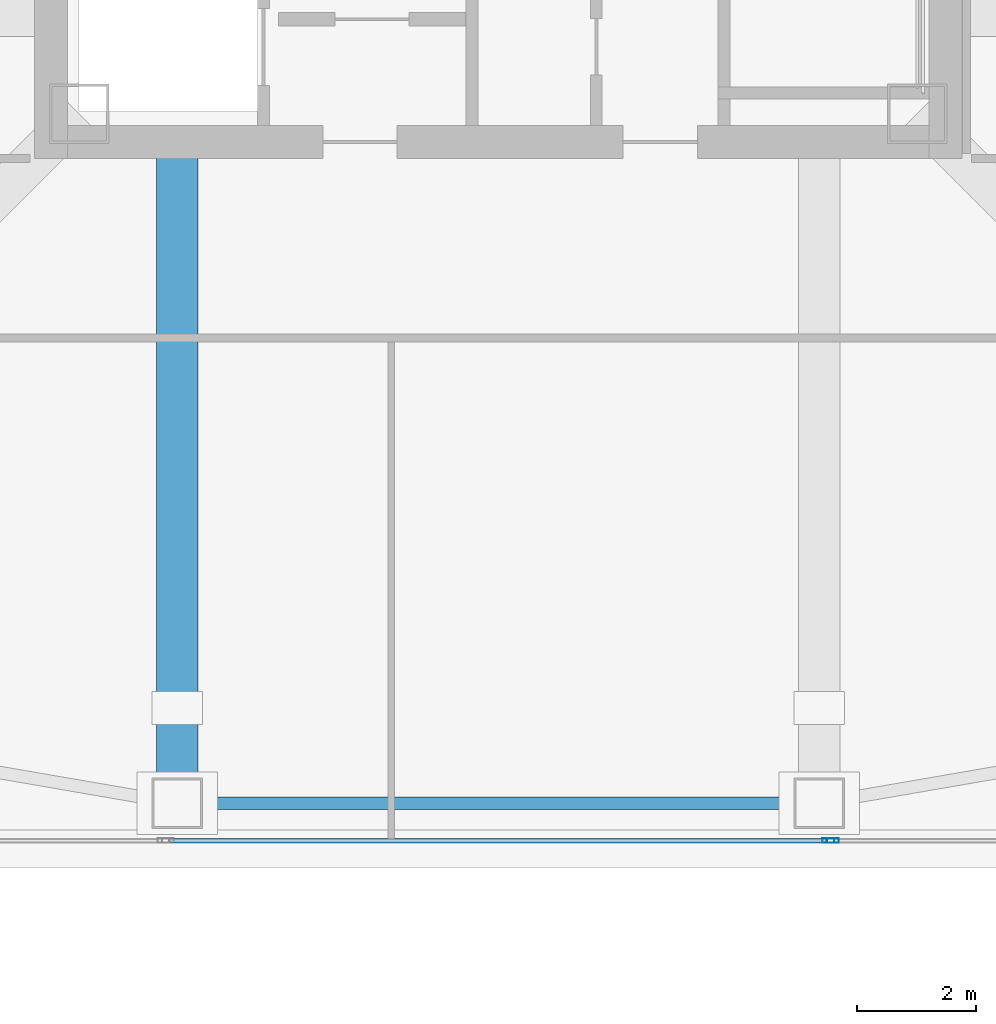
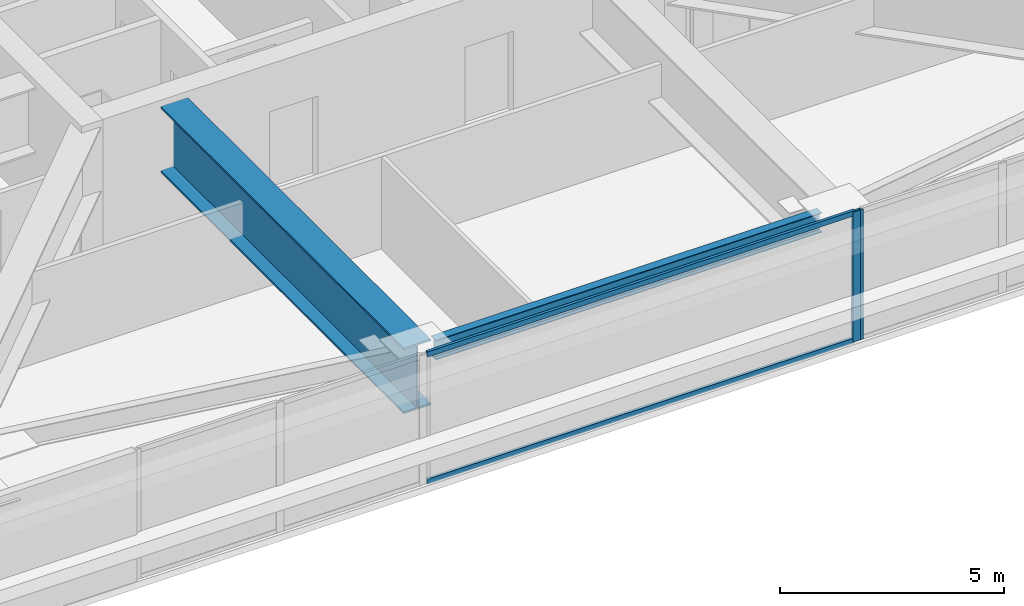
# One storey, part 5 of 42: 4 members, 2 beams, 2 elements without a shape of their own.
"""IFC4 building model written with IfcOpenShell, lengths in metres."""

from ifc_helpers import new_model, si_unit, direction, frame, origin, origin_2d, place, context, subcontext, project, spatial, hollow_rectangle, i_section, extrude, material, material_profile, profile_set, type_object, element, aggregate, save


model = new_model("IFC4")

# Units and contexts
model_context = context("Model", 3, precision=1e-05, world=origin(), true_north=direction((0.0, 1.0)))
body_context = subcontext(model_context, "Body", "Model", "MODEL_VIEW")
ifc_project = project(units=[si_unit("LENGTHUNIT", "METRE"), si_unit("AREAUNIT", "SQUARE_METRE"), si_unit("VOLUMEUNIT", "CUBIC_METRE"), si_unit("PLANEANGLEUNIT", "RADIAN"), si_unit("MASSUNIT", "GRAM", prefix="KILO")], contexts=[model_context])

# Site, building, storey
site_placement = place(None, origin())
site = spatial("IfcSite", under=ifc_project, at=site_placement, CompositionType="ELEMENT")
building_placement = place(site_placement, origin())
building = spatial("IfcBuilding", under=site, at=building_placement, Name="Tashvorn Skyway Center", CompositionType="ELEMENT")
storey_placement = place(building_placement, frame((0.0, 0.0, 153.449951171875)))
storey = spatial("IfcBuildingStorey", under=building, at=storey_placement, Name="L41", CompositionType="ELEMENT", Elevation=153.449951171875)

# Beams
ifc_material_1 = material(Name="Steel ASTM A572 Grade 50", Category="steel")
ifc_material_profile_1 = material_profile(ifc_material_1, i_section(OverallWidth=0.699951171875, OverallDepth=1.800048828125, WebThickness=0.031982421875, FlangeThickness=0.050048828125, at=origin_2d()), Name="PG1800x700")
ifc_profile_set_1 = profile_set([ifc_material_profile_1], Name="Steel ASTM A572 Grade 50")
beam_type_1 = type_object("IfcBeamType", Name="BM-BEAM-PG1800x700", PredefinedType="BEAM", material=ifc_profile_set_1)
beam_1_placement = place(storey_placement, frame((36.60009765625, 13.35009765625, 2.469970703125), z_axis=(0.0, 1.0, 0.0), x_axis=(-1.0, 0.0, 0.0)))
element("IfcBeam", 1, at=beam_1_placement, inside=storey, type_object=beam_type_1, Name="Tower 1 L41 Setback Transfer Girder FC-S1", PredefinedType="BEAM", context=body_context, shape_type="SweptSolid", body=[
    extrude(i_section(OverallWidth=0.699951171875, OverallDepth=1.800048828125, WebThickness=0.031982421875, FlangeThickness=0.050048828125, at=origin_2d()), origin(), (0.0, 0.0, 1.0), 10.869873046875),
])
ifc_material_2 = material(Name="Steel ASTM A992 Grade 50", Category="steel")
ifc_material_profile_2 = material_profile(ifc_material_2, i_section(OverallWidth=0.2109375, OverallDepth=0.5390625, WebThickness=0.01171875, FlangeThickness=0.018798828125, at=origin_2d()), Name="W21X73")
ifc_profile_set_2 = profile_set([ifc_material_profile_2], Name="Steel ASTM A992 Grade 50")
beam_type_2 = type_object("IfcBeamType", Name="BM-SPANDREL-W21X73", PredefinedType="SPANDREL", material=ifc_profile_set_2)
beam_2_placement = place(storey_placement, frame((37.02001953125, 13.35009765625, 3.1005859375), z_axis=(1.0, 0.0, 0.0), x_axis=(0.0, 1.0, 0.0)))
element("IfcBeam", 2, at=beam_2_placement, inside=storey, type_object=beam_type_2, Name="Tower 1 L41 Spandrel Beam 02", PredefinedType="SPANDREL", context=body_context, shape_type="SweptSolid", body=[
    extrude(i_section(OverallWidth=0.2109375, OverallDepth=0.5390625, WebThickness=0.01171875, FlangeThickness=0.018798828125, at=origin_2d()), origin(), (0.0, 0.0, 1.0), 9.9599609375),
])

# Curtain wall, member
ifc_material_3 = material(Name="Thermally broken bronze-anodized aluminium 6063-T6", Category="aluminium")
curtain_wall_type = type_object("IfcCurtainWallType", Name="CW-CW-Z3", PredefinedType="NOTDEFINED", material=ifc_material_3)
curtain_wall_1_placement = place(storey_placement, origin())
curtain_wall_1 = element("IfcCurtainWall", 3, at=curtain_wall_1_placement, inside=storey, type_object=curtain_wall_type, Name="Tower 1 L41 South Unitised Curtain Wall Glazing Group 1", PredefinedType="NOTDEFINED")
ifc_material_profile_3 = material_profile(ifc_material_3, hollow_rectangle(XDim=0.074951171875, YDim=0.199951171875, WallThickness=0.00439453125, at=origin_2d()), Name="ALU-MULL-75x200")
ifc_profile_set_3 = profile_set([ifc_material_profile_3], Name="Thermally broken bronze-anodized aluminium 6063-T6")
member_type_1 = type_object("IfcMemberType", Name="CWM-CW-Z3", PredefinedType="MULLION", material=ifc_profile_set_3)
member_1_placement = place(storey_placement, frame((47.630859375, 12.719970703125, 0.0), z_axis=(0.0, 0.0, 1.0), x_axis=(0.0, -1.0, 0.0)))
member_1 = element("IfcMember", 4, at=member_1_placement, type_object=member_type_1, Name="CW-Z3 mullion 3", PredefinedType="MULLION", context=body_context, shape_type="SweptSolid", body=[
    extrude(hollow_rectangle(XDim=0.074951171875, YDim=0.199951171875, WallThickness=0.00439453125, at=origin_2d()), origin(), (0.0, 0.0, 1.0), 3.550048828125),
])
aggregate(curtain_wall_1, [member_1])

# Curtain wall, members
curtain_wall_2_placement = place(storey_placement, origin())
curtain_wall_2 = element("IfcCurtainWall", 5, at=curtain_wall_2_placement, inside=storey, type_object=curtain_wall_type, Name="Tower 1 L41 South Unitised Curtain Wall Glazing Group 2", PredefinedType="NOTDEFINED")
member_2_placement = place(storey_placement, frame((47.555908203125, 12.719970703125, 0.0), z_axis=(0.0, 0.0, 1.0), x_axis=(0.0, -1.0, 0.0)))
member_2 = element("IfcMember", 6, at=member_2_placement, type_object=member_type_1, Name="CW-Z3 mullion 1", PredefinedType="MULLION", context=body_context, shape_type="SweptSolid", body=[
    extrude(hollow_rectangle(XDim=0.074951171875, YDim=0.199951171875, WallThickness=0.00439453125, at=origin_2d()), origin(), (0.0, 0.0, 1.0), 3.550048828125),
])
ifc_material_profile_4 = material_profile(ifc_material_3, hollow_rectangle(XDim=0.074951171875, YDim=0.139892578125, WallThickness=0.004150390625, at=origin_2d()), Name="ALU-TRAN-75x140")
ifc_profile_set_4 = profile_set([ifc_material_profile_4], Name="Thermally broken bronze-anodized aluminium 6063-T6")
member_type_2 = type_object("IfcMemberType", Name="CWT-CW-Z3", PredefinedType="USERDEFINED", material=ifc_profile_set_4)
member_3_placement = place(storey_placement, frame((47.518310546875, 12.719970703125, 0.03759765625), z_axis=(-1.0, 0.0, 0.0), x_axis=(0.0, -1.0, 0.0)))
member_3 = element("IfcMember", 7, at=member_3_placement, type_object=member_type_2, Name="CW-Z3 transom 1.1", ObjectType="TRANSOM", PredefinedType="USERDEFINED", context=body_context, shape_type="SweptSolid", body=[
    extrude(hollow_rectangle(XDim=0.074951171875, YDim=0.139892578125, WallThickness=0.004150390625, at=origin_2d()), origin(), (0.0, 0.0, 1.0), 11.03662109375),
])
member_4_placement = place(storey_placement, frame((47.518310546875, 12.719970703125, 3.512451171875), z_axis=(-1.0, 0.0, 0.0), x_axis=(0.0, -1.0, 0.0)))
member_4 = element("IfcMember", 8, at=member_4_placement, type_object=member_type_2, Name="CW-Z3 transom 1.2", ObjectType="TRANSOM", PredefinedType="USERDEFINED", context=body_context, shape_type="SweptSolid", body=[
    extrude(hollow_rectangle(XDim=0.074951171875, YDim=0.139892578125, WallThickness=0.004150390625, at=origin_2d()), origin(), (0.0, 0.0, 1.0), 11.03662109375),
])
aggregate(curtain_wall_2, [member_2, member_3, member_4])

save(model, "model.ifc")
